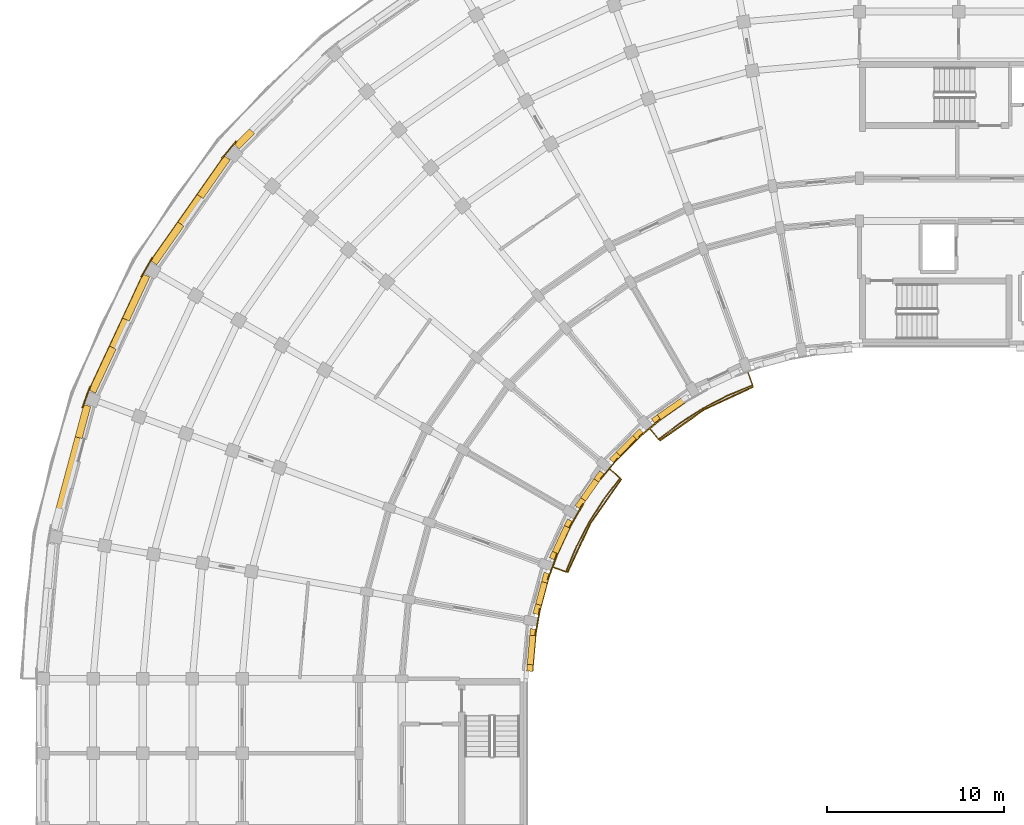
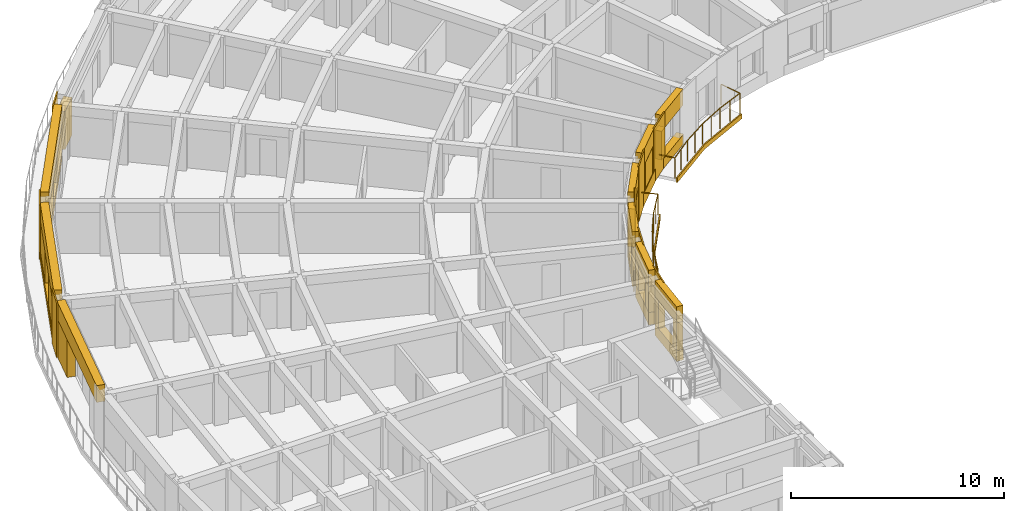
# One storey, part 47 of 57: 43 coverings, 2 railings, 1 shading device.
"""IFC4 building model written with IfcOpenShell, lengths in metres."""

from ifc_helpers import new_model, si_unit, direction, frame, origin, origin_2d, place, context, subcontext, project, spatial, polyline, rectangle, circle, outline, extrude, material, layer, layer_set, type_object, element, save


model = new_model("IFC4")

# Units and contexts
model_context = context("Model", 3, precision=1e-05, world=origin(), true_north=direction((0.0, 1.0)))
body_context = subcontext(model_context, "Body", "Model", "MODEL_VIEW")
ifc_project = project(units=[si_unit("LENGTHUNIT", "METRE"), si_unit("AREAUNIT", "SQUARE_METRE"), si_unit("VOLUMEUNIT", "CUBIC_METRE"), si_unit("PLANEANGLEUNIT", "RADIAN"), si_unit("MASSUNIT", "GRAM", prefix="KILO")], contexts=[model_context])

# Site, building, storey
site_placement = place(None, origin())
site = spatial("IfcSite", under=ifc_project, at=site_placement, CompositionType="ELEMENT")
building_placement = place(site_placement, origin())
building = spatial("IfcBuilding", under=site, at=building_placement, Name="Kiranvali Square Residences", CompositionType="ELEMENT")
storey_placement = place(building_placement, frame((0.0, 0.0, 24.449951171875)))
storey = spatial("IfcBuildingStorey", under=building, at=storey_placement, Name="L07", CompositionType="ELEMENT", Elevation=24.449951171875)

# Coverings
ifc_material_1 = material(Name="Carved Porbandar limestone classical entablature and cornice", Category="masonry")
ifc_layer_1 = layer(ifc_material_1, 0.06201171875)
ifc_layer_set_1 = layer_set([ifc_layer_1], Name="Carved Porbandar limestone classical entablature and cornice")
covering_type_1 = type_object("IfcCoveringType", Name="COV-CLAD-GBAL", PredefinedType="CLADDING", material=ifc_layer_set_1)
covering_1_placement = place(storey_placement, frame((0.0, 0.0, -0.219970703125)))
element("IfcCovering", 1, at=covering_1_placement, inside=storey, type_object=covering_type_1, Name="Block A L07 garden balcony limestone fascia 1", PredefinedType="CLADDING", context=body_context, shape_type="SweptSolid", body=[
    extrude(outline(polyline([(42.1982421875, 104.289794921875), (39.426025390625, 102.9970703125), (36.92041015625, 101.242431640625), (36.964111328125, 101.1904296875), (39.4599609375, 102.938232421875), (42.221435546875, 104.225830078125), (42.1982421875, 104.289794921875)])), origin(), (0.0, 0.0, 1.0), 0.27001953125),
])
covering_2_placement = place(storey_placement, frame((0.0, 0.0, -0.219970703125)))
element("IfcCovering", 2, at=covering_2_placement, inside=storey, type_object=covering_type_1, Name="Block A L07 garden balcony limestone fascia 2", PredefinedType="CLADDING", context=body_context, shape_type="SweptSolid", body=[
    extrude(outline(polyline([(34.757568359375, 99.07958984375), (33.0029296875, 96.573974609375), (31.710205078125, 93.8017578125), (31.774169921875, 93.778564453125), (33.061767578125, 96.5400390625), (34.8095703125, 99.035888671875), (34.757568359375, 99.07958984375)])), origin(), (0.0, 0.0, 1.0), 0.27001953125),
])
ifc_material_2 = material(Name="Honed Porbandar limestone ashlar facade cladding", Category="masonry")
ifc_layer_2 = layer(ifc_material_2, 0.3798828125)
ifc_layer_set_2 = layer_set([ifc_layer_2], Name="Honed Porbandar limestone ashlar facade cladding")
covering_type_2 = type_object("IfcCoveringType", Name="COV-CLAD-JAMB", PredefinedType="CLADDING", material=ifc_layer_set_2)
covering_3_placement = place(storey_placement, origin())
element("IfcCovering", 3, at=covering_3_placement, inside=storey, type_object=covering_type_2, Name="L07 deep limestone window jamb reveal A-L07-CRV-04.R", PredefinedType="CLADDING", context=body_context, shape_type="SweptSolid", body=[
    extrude(outline(polyline([(13.822265625, 118.808349609375), (12.954833984375, 117.94091796875), (13.244384765625, 117.6513671875), (14.11181640625, 118.518798828125), (13.822265625, 118.808349609375)])), origin(), (0.0, 0.0, 1.0), 2.179931640625),
])
covering_4_placement = place(storey_placement, frame((0.0, 0.0, 0.52197265625)))
element("IfcCovering", 4, at=covering_4_placement, inside=storey, type_object=covering_type_2, Name="L07 deep limestone window jamb reveal A-L07-CRV-05.L", PredefinedType="CLADDING", context=body_context, shape_type="SweptSolid", body=[
    extrude(outline(polyline([(12.396728515625, 117.275634765625), (10.871337890625, 115.097412109375), (11.206787109375, 114.862548828125), (12.732177734375, 117.040771484375), (12.396728515625, 117.275634765625)])), origin(), (0.0, 0.0, 1.0), 1.650146484375),
])
covering_5_placement = place(storey_placement, frame((0.0, 0.0, 0.52197265625)))
element("IfcCovering", 5, at=covering_5_placement, inside=storey, type_object=covering_type_2, Name="L07 deep limestone window jamb reveal A-L07-CRV-05.R", PredefinedType="CLADDING", context=body_context, shape_type="SweptSolid", body=[
    extrude(outline(polyline([(9.78173828125, 113.541015625), (8.25634765625, 111.36279296875), (8.591796875, 111.1279296875), (10.1171875, 113.30615234375), (9.78173828125, 113.541015625)])), origin(), (0.0, 0.0, 1.0), 1.650146484375),
])
covering_6_placement = place(storey_placement, frame((0.0, 0.0, 0.422119140625)))
element("IfcCovering", 6, at=covering_6_placement, inside=storey, type_object=covering_type_2, Name="L07 deep limestone window jamb reveal A-L07-CRV-06.L", PredefinedType="CLADDING", context=body_context, shape_type="SweptSolid", body=[
    extrude(outline(polyline([(7.822265625, 110.61083984375), (6.666748046875, 108.1328125), (7.037841796875, 107.959716796875), (8.193359375, 110.437744140625), (7.822265625, 110.61083984375)])), origin(), (0.0, 0.0, 1.0), 1.75),
])
covering_7_placement = place(storey_placement, frame((0.0, 0.0, 0.422119140625)))
element("IfcCovering", 7, at=covering_7_placement, inside=storey, type_object=covering_type_2, Name="L07 deep limestone window jamb reveal A-L07-CRV-06.R", PredefinedType="CLADDING", context=body_context, shape_type="SweptSolid", body=[
    extrude(outline(polyline([(5.927001953125, 106.546630859375), (4.771484375, 104.068603515625), (5.142822265625, 103.895751953125), (6.29833984375, 106.373779296875), (5.927001953125, 106.546630859375)])), origin(), (0.0, 0.0, 1.0), 1.75),
])
covering_8_placement = place(storey_placement, origin())
element("IfcCovering", 8, at=covering_8_placement, inside=storey, type_object=covering_type_2, Name="L07 deep limestone window jamb reveal A-L07-CRV-07.L", PredefinedType="CLADDING", context=body_context, shape_type="SweptSolid", body=[
    extrude(outline(polyline([(4.474609375, 103.252685546875), (3.989013671875, 101.440185546875), (4.384521484375, 101.334228515625), (4.8701171875, 103.146728515625), (4.474609375, 103.252685546875)])), origin(), (0.0, 0.0, 1.0), 2.179931640625),
])
covering_9_placement = place(storey_placement, frame((0.0, 0.0, 0.572021484375)))
element("IfcCovering", 9, at=covering_9_placement, inside=storey, type_object=covering_type_2, Name="L07 deep limestone window jamb reveal A-L07-GDN-03.R", PredefinedType="CLADDING", context=body_context, shape_type="SweptSolid", body=[
    extrude(outline(polyline([(36.802734375, 102.68212890625), (36.476318359375, 102.45361328125), (36.671142578125, 102.175537109375), (36.99755859375, 102.404052734375), (36.802734375, 102.68212890625)])), origin(), (0.0, 0.0, 1.0), 1.650146484375),
])
covering_10_placement = place(storey_placement, frame((0.0, 0.0, 0.72216796875)))
element("IfcCovering", 10, at=covering_10_placement, inside=storey, type_object=covering_type_2, Name="L07 deep limestone window jamb reveal A-L07-GDN-04.L", PredefinedType="CLADDING", context=body_context, shape_type="SweptSolid", body=[
    extrude(outline(polyline([(35.804931640625, 101.89013671875), (35.4169921875, 101.502197265625), (35.656982421875, 101.26220703125), (36.044921875, 101.650146484375), (35.804931640625, 101.89013671875)])), origin(), (0.0, 0.0, 1.0), 1.5),
])
covering_11_placement = place(storey_placement, frame((0.0, 0.0, 0.72216796875)))
element("IfcCovering", 11, at=covering_11_placement, inside=storey, type_object=covering_type_2, Name="L07 deep limestone window jamb reveal A-L07-GDN-04.R", PredefinedType="CLADDING", context=body_context, shape_type="SweptSolid", body=[
    extrude(outline(polyline([(34.497802734375, 100.5830078125), (34.10986328125, 100.195068359375), (34.349853515625, 99.955078125), (34.73779296875, 100.343017578125), (34.497802734375, 100.5830078125)])), origin(), (0.0, 0.0, 1.0), 1.5),
])
covering_12_placement = place(storey_placement, origin())
element("IfcCovering", 12, at=covering_12_placement, inside=storey, type_object=covering_type_2, Name="L07 deep limestone window jamb reveal A-L07-GDN-05.L", PredefinedType="CLADDING", context=body_context, shape_type="SweptSolid", body=[
    extrude(outline(polyline([(33.54638671875, 99.523681640625), (33.231689453125, 99.074462890625), (33.509765625, 98.879638671875), (33.824462890625, 99.328857421875), (33.54638671875, 99.523681640625)])), origin(), (0.0, 0.0, 1.0), 2.179931640625),
])
covering_13_placement = place(storey_placement, origin())
element("IfcCovering", 13, at=covering_13_placement, inside=storey, type_object=covering_type_2, Name="L07 deep limestone window jamb reveal A-L07-GDN-05.R", PredefinedType="CLADDING", context=body_context, shape_type="SweptSolid", body=[
    extrude(outline(polyline([(32.486083984375, 98.009521484375), (32.171630859375, 97.56005859375), (32.44970703125, 97.365478515625), (32.76416015625, 97.814697265625), (32.486083984375, 98.009521484375)])), origin(), (0.0, 0.0, 1.0), 2.179931640625),
])
covering_14_placement = place(storey_placement, frame((0.0, 0.0, 0.572021484375)))
element("IfcCovering", 14, at=covering_14_placement, inside=storey, type_object=covering_type_2, Name="L07 deep limestone window jamb reveal A-L07-GDN-06.L", PredefinedType="CLADDING", context=body_context, shape_type="SweptSolid", body=[
    extrude(outline(polyline([(31.733154296875, 96.801025390625), (31.564697265625, 96.43994140625), (31.87255859375, 96.29638671875), (32.041015625, 96.657470703125), (31.733154296875, 96.801025390625)])), origin(), (0.0, 0.0, 1.0), 1.650146484375),
])
covering_15_placement = place(storey_placement, frame((0.0, 0.0, 0.572021484375)))
element("IfcCovering", 15, at=covering_15_placement, inside=storey, type_object=covering_type_2, Name="L07 deep limestone window jamb reveal A-L07-GDN-06.R", PredefinedType="CLADDING", context=body_context, shape_type="SweptSolid", body=[
    extrude(outline(polyline([(30.888671875, 94.98974609375), (30.72021484375, 94.62841796875), (31.02783203125, 94.485107421875), (31.1962890625, 94.84619140625), (30.888671875, 94.98974609375)])), origin(), (0.0, 0.0, 1.0), 1.650146484375),
])
covering_16_placement = place(storey_placement, frame((0.0, 0.0, 0.72216796875)))
element("IfcCovering", 16, at=covering_16_placement, inside=storey, type_object=covering_type_2, Name="L07 deep limestone window jamb reveal A-L07-GDN-07.L", PredefinedType="CLADDING", context=body_context, shape_type="SweptSolid", body=[
    extrude(outline(polyline([(30.42041015625, 93.804931640625), (30.2783203125, 93.27490234375), (30.6064453125, 93.187255859375), (30.748291015625, 93.717041015625), (30.42041015625, 93.804931640625)])), origin(), (0.0, 0.0, 1.0), 1.5),
])
covering_17_placement = place(storey_placement, frame((0.0, 0.0, 0.72216796875)))
element("IfcCovering", 17, at=covering_17_placement, inside=storey, type_object=covering_type_2, Name="L07 deep limestone window jamb reveal A-L07-GDN-07.R", PredefinedType="CLADDING", context=body_context, shape_type="SweptSolid", body=[
    extrude(outline(polyline([(29.94189453125, 92.019287109375), (29.800048828125, 91.489501953125), (30.1279296875, 91.401611328125), (30.269775390625, 91.931396484375), (29.94189453125, 92.019287109375)])), origin(), (0.0, 0.0, 1.0), 1.5),
])
covering_18_placement = place(storey_placement, frame((0.0, 0.0, 0.6220703125)))
element("IfcCovering", 18, at=covering_18_placement, inside=storey, type_object=covering_type_2, Name="L07 deep limestone window jamb reveal A-L07-GDN-08.L", PredefinedType="CLADDING", context=body_context, shape_type="SweptSolid", body=[
    extrude(outline(polyline([(29.647705078125, 90.626220703125), (29.615234375, 90.254150390625), (29.953369140625, 90.224609375), (29.986083984375, 90.5966796875), (29.647705078125, 90.626220703125)])), origin(), (0.0, 0.0, 1.0), 1.60009765625),
])
covering_19_placement = place(storey_placement, frame((0.0, 0.0, 0.6220703125)))
element("IfcCovering", 19, at=covering_19_placement, inside=storey, type_object=covering_type_2, Name="L07 deep limestone window jamb reveal A-L07-GDN-08.R", PredefinedType="CLADDING", context=body_context, shape_type="SweptSolid", body=[
    extrude(outline(polyline([(29.471435546875, 88.6103515625), (29.43896484375, 88.23828125), (29.777099609375, 88.208740234375), (29.8095703125, 88.580810546875), (29.471435546875, 88.6103515625)])), origin(), (0.0, 0.0, 1.0), 1.60009765625),
])
ifc_layer_3 = layer(ifc_material_2, 0.06494140625)
ifc_layer_set_3 = layer_set([ifc_layer_3], Name="Honed Porbandar limestone ashlar facade cladding")
covering_type_3 = type_object("IfcCoveringType", Name="COV-CLAD-PIER", PredefinedType="CLADDING", material=ifc_layer_set_3)
covering_20_placement = place(storey_placement, frame((0.0, 0.0, 0.005126953125)))
element("IfcCovering", 20, at=covering_20_placement, inside=storey, type_object=covering_type_3, Name="L07 Classical limestone corner pilaster CLAD-PR-A-L07-A05", PredefinedType="CLADDING", context=body_context, shape_type="SweptSolid", body=[
    extrude(outline(polyline([(13.046630859375, 118.11962890625), (12.23681640625, 117.154296875), (12.28857421875, 117.11083984375), (13.098388671875, 118.076171875), (13.046630859375, 118.11962890625)])), origin(), (0.0, 0.0, 1.0), 3.139892578125),
])
covering_21_placement = place(storey_placement, frame((0.0, 0.0, 0.005126953125)))
element("IfcCovering", 21, at=covering_21_placement, inside=storey, type_object=covering_type_3, Name="L07 Classical limestone corner pilaster CLAD-PR-A-L07-A06", PredefinedType="CLADDING", context=body_context, shape_type="SweptSolid", body=[
    extrude(outline(polyline([(8.31591796875, 111.5546875), (7.685791015625, 110.46337890625), (7.744384765625, 110.4296875), (8.374267578125, 111.520751953125), (8.31591796875, 111.5546875)])), origin(), (0.0, 0.0, 1.0), 3.139892578125),
])
covering_22_placement = place(storey_placement, frame((0.0, 0.0, 0.005126953125)))
element("IfcCovering", 22, at=covering_22_placement, inside=storey, type_object=covering_type_3, Name="L07 Classical limestone corner pilaster CLAD-PR-A-L07-A07", PredefinedType="CLADDING", context=body_context, shape_type="SweptSolid", body=[
    extrude(outline(polyline([(4.796875, 104.267822265625), (4.365966796875, 103.083984375), (4.42919921875, 103.060791015625), (4.8603515625, 104.244873046875), (4.796875, 104.267822265625)])), origin(), (0.0, 0.0, 1.0), 3.139892578125),
])
ifc_layer_4 = layer(ifc_material_2, 0.050048828125)
ifc_layer_set_4 = layer_set([ifc_layer_4], Name="Honed Porbandar limestone ashlar facade cladding")
covering_type_4 = type_object("IfcCoveringType", Name="COV-CLAD-PIER-IN", PredefinedType="CLADDING", material=ifc_layer_set_4)
covering_23_placement = place(storey_placement, frame((0.0, 0.0, 0.005126953125)))
element("IfcCovering", 23, at=covering_23_placement, inside=storey, type_object=covering_type_4, Name="L07 Classical garden courtyard pilaster CLAD-PRIN-A-L07-A04", PredefinedType="CLADDING", context=body_context, shape_type="SweptSolid", body=[
    extrude(outline(polyline([(35.809814453125, 101.3994140625), (36.958740234375, 102.363525390625), (36.91552734375, 102.415283203125), (35.766357421875, 101.451171875), (35.809814453125, 101.3994140625)])), origin(), (0.0, 0.0, 1.0), 3.139892578125),
])
covering_24_placement = place(storey_placement, frame((0.0, 0.0, 0.005126953125)))
element("IfcCovering", 24, at=covering_24_placement, inside=storey, type_object=covering_type_4, Name="L07 Classical garden courtyard pilaster CLAD-PRIN-A-L07-A05", PredefinedType="CLADDING", context=body_context, shape_type="SweptSolid", body=[
    extrude(outline(polyline([(33.636474609375, 99.041259765625), (34.6005859375, 100.190185546875), (34.548828125, 100.233642578125), (33.584716796875, 99.08447265625), (33.636474609375, 99.041259765625)])), origin(), (0.0, 0.0, 1.0), 3.139892578125),
])
covering_25_placement = place(storey_placement, frame((0.0, 0.0, 0.005126953125)))
element("IfcCovering", 25, at=covering_25_placement, inside=storey, type_object=covering_type_4, Name="L07 Classical garden courtyard pilaster CLAD-PRIN-A-L07-A06", PredefinedType="CLADDING", context=body_context, shape_type="SweptSolid", body=[
    extrude(outline(polyline([(31.90576171875, 96.341552734375), (32.65576171875, 97.640625), (32.59716796875, 97.67431640625), (31.84716796875, 96.375244140625), (31.90576171875, 96.341552734375)])), origin(), (0.0, 0.0, 1.0), 3.139892578125),
])
covering_26_placement = place(storey_placement, frame((0.0, 0.0, 0.005126953125)))
element("IfcCovering", 26, at=covering_26_placement, inside=storey, type_object=covering_type_4, Name="L07 Classical garden courtyard pilaster CLAD-PRIN-A-L07-A07", PredefinedType="CLADDING", context=body_context, shape_type="SweptSolid", body=[
    extrude(outline(polyline([(30.670166015625, 93.38232421875), (31.18310546875, 94.791748046875), (31.11962890625, 94.81494140625), (30.606689453125, 93.4052734375), (30.670166015625, 93.38232421875)])), origin(), (0.0, 0.0, 1.0), 3.139892578125),
])
covering_27_placement = place(storey_placement, frame((0.0, 0.0, 0.005126953125)))
element("IfcCovering", 27, at=covering_27_placement, inside=storey, type_object=covering_type_4, Name="L07 Classical garden courtyard pilaster CLAD-PRIN-A-L07-A08", PredefinedType="CLADDING", context=body_context, shape_type="SweptSolid", body=[
    extrude(outline(polyline([(29.967041015625, 90.25341796875), (30.2275390625, 91.730712890625), (30.1611328125, 91.742431640625), (29.900634765625, 90.26513671875), (29.967041015625, 90.25341796875)])), origin(), (0.0, 0.0, 1.0), 3.139892578125),
])
ifc_layer_5 = layer(ifc_material_2, 0.360107421875)
ifc_layer_set_5 = layer_set([ifc_layer_5], Name="Honed Porbandar limestone ashlar facade cladding")
covering_type_5 = type_object("IfcCoveringType", Name="COV-CLAD-WALL", PredefinedType="CLADDING", material=ifc_layer_set_5)
covering_28_placement = place(storey_placement, frame((0.0, 0.0, 2.172119140625)))
element("IfcCovering", 28, at=covering_28_placement, inside=storey, type_object=covering_type_5, Name="L07 light limestone spandrel lintel A-L07-CRV-05", PredefinedType="CLADDING", context=body_context, shape_type="SweptSolid", body=[
    extrude(outline(polyline([(12.396728515625, 117.275634765625), (8.25634765625, 111.36279296875), (8.591796875, 111.1279296875), (12.732177734375, 117.040771484375), (12.396728515625, 117.275634765625)])), origin(), (0.0, 0.0, 1.0), 0.972900390625),
])
covering_29_placement = place(storey_placement, frame((0.0, 0.0, 0.005126953125)))
element("IfcCovering", 29, at=covering_29_placement, inside=storey, type_object=covering_type_5, Name="L07 limestone window sill apron A-L07-CRV-05", PredefinedType="CLADDING", context=body_context, shape_type="SweptSolid", body=[
    extrude(outline(polyline([(12.3720703125, 117.29296875), (8.23193359375, 111.380126953125), (8.591796875, 111.1279296875), (12.732177734375, 117.040771484375), (12.3720703125, 117.29296875)])), origin(), (0.0, 0.0, 1.0), 0.516845703125),
])
covering_30_placement = place(storey_placement, frame((0.0, 0.0, 2.172119140625)))
element("IfcCovering", 30, at=covering_30_placement, inside=storey, type_object=covering_type_5, Name="L07 light limestone spandrel lintel A-L07-CRV-06", PredefinedType="CLADDING", context=body_context, shape_type="SweptSolid", body=[
    extrude(outline(polyline([(7.822265625, 110.61083984375), (4.771484375, 104.068603515625), (5.142822265625, 103.895751953125), (8.193359375, 110.437744140625), (7.822265625, 110.61083984375)])), origin(), (0.0, 0.0, 1.0), 0.972900390625),
])
covering_31_placement = place(storey_placement, frame((0.0, 0.0, 0.005126953125)))
element("IfcCovering", 31, at=covering_31_placement, inside=storey, type_object=covering_type_5, Name="L07 limestone window sill apron A-L07-CRV-06", PredefinedType="CLADDING", context=body_context, shape_type="SweptSolid", body=[
    extrude(outline(polyline([(7.794921875, 110.62353515625), (4.744384765625, 104.081298828125), (5.142822265625, 103.895751953125), (8.193359375, 110.437744140625), (7.794921875, 110.62353515625)])), origin(), (0.0, 0.0, 1.0), 0.4169921875),
])
covering_32_placement = place(storey_placement, frame((0.0, 0.0, 2.179931640625)))
element("IfcCovering", 32, at=covering_32_placement, inside=storey, type_object=covering_type_5, Name="L07 light limestone spandrel lintel A-L07-CRV-07", PredefinedType="CLADDING", context=body_context, shape_type="SweptSolid", body=[
    extrude(outline(polyline([(4.474609375, 103.252685546875), (2.6064453125, 96.2802734375), (3.001953125, 96.17431640625), (4.8701171875, 103.146728515625), (4.474609375, 103.252685546875)])), origin(), (0.0, 0.0, 1.0), 0.965087890625),
])
covering_33_placement = place(storey_placement, frame((0.0, 0.0, 2.22216796875)))
element("IfcCovering", 33, at=covering_33_placement, inside=storey, type_object=covering_type_5, Name="L07 light limestone spandrel lintel A-L07-GDN-03", PredefinedType="CLADDING", context=body_context, shape_type="SweptSolid", body=[
    extrude(outline(polyline([(38.43994140625, 103.828369140625), (36.476318359375, 102.45361328125), (36.671142578125, 102.175537109375), (38.634521484375, 103.55029296875), (38.43994140625, 103.828369140625)])), origin(), (0.0, 0.0, 1.0), 0.9228515625),
])
covering_34_placement = place(storey_placement, frame((0.0, 0.0, 2.22216796875)))
element("IfcCovering", 34, at=covering_34_placement, inside=storey, type_object=covering_type_5, Name="L07 light limestone spandrel lintel A-L07-GDN-04", PredefinedType="CLADDING", context=body_context, shape_type="SweptSolid", body=[
    extrude(outline(polyline([(35.804931640625, 101.89013671875), (34.10986328125, 100.195068359375), (34.349853515625, 99.955078125), (36.044921875, 101.650146484375), (35.804931640625, 101.89013671875)])), origin(), (0.0, 0.0, 1.0), 0.9228515625),
])
covering_35_placement = place(storey_placement, frame((0.0, 0.0, 2.179931640625)))
element("IfcCovering", 35, at=covering_35_placement, inside=storey, type_object=covering_type_5, Name="L07 light limestone spandrel lintel A-L07-GDN-05", PredefinedType="CLADDING", context=body_context, shape_type="SweptSolid", body=[
    extrude(outline(polyline([(33.54638671875, 99.523681640625), (32.171630859375, 97.56005859375), (32.44970703125, 97.365478515625), (33.824462890625, 99.328857421875), (33.54638671875, 99.523681640625)])), origin(), (0.0, 0.0, 1.0), 0.965087890625),
])
covering_36_placement = place(storey_placement, frame((0.0, 0.0, 2.22216796875)))
element("IfcCovering", 36, at=covering_36_placement, inside=storey, type_object=covering_type_5, Name="L07 light limestone spandrel lintel A-L07-GDN-06", PredefinedType="CLADDING", context=body_context, shape_type="SweptSolid", body=[
    extrude(outline(polyline([(31.733154296875, 96.801025390625), (30.72021484375, 94.62841796875), (31.02783203125, 94.485107421875), (32.041015625, 96.657470703125), (31.733154296875, 96.801025390625)])), origin(), (0.0, 0.0, 1.0), 0.9228515625),
])
covering_37_placement = place(storey_placement, frame((0.0, 0.0, 2.22216796875)))
element("IfcCovering", 37, at=covering_37_placement, inside=storey, type_object=covering_type_5, Name="L07 light limestone spandrel lintel A-L07-GDN-07", PredefinedType="CLADDING", context=body_context, shape_type="SweptSolid", body=[
    extrude(outline(polyline([(30.42041015625, 93.804931640625), (29.800048828125, 91.489501953125), (30.1279296875, 91.401611328125), (30.748291015625, 93.717041015625), (30.42041015625, 93.804931640625)])), origin(), (0.0, 0.0, 1.0), 0.9228515625),
])
covering_38_placement = place(storey_placement, frame((0.0, 0.0, 2.22216796875)))
element("IfcCovering", 38, at=covering_38_placement, inside=storey, type_object=covering_type_5, Name="L07 light limestone spandrel lintel A-L07-GDN-08", PredefinedType="CLADDING", context=body_context, shape_type="SweptSolid", body=[
    extrude(outline(polyline([(29.647705078125, 90.626220703125), (29.43896484375, 88.23828125), (29.777099609375, 88.208740234375), (29.986083984375, 90.5966796875), (29.647705078125, 90.626220703125)])), origin(), (0.0, 0.0, 1.0), 0.9228515625),
])
ifc_layer_6 = layer(ifc_material_2, 0.2900390625)
ifc_layer_set_6 = layer_set([ifc_layer_6], Name="Honed Porbandar limestone ashlar facade cladding")
covering_type_6 = type_object("IfcCoveringType", Name="COV-CLAD-WALL-IN", PredefinedType="CLADDING", material=ifc_layer_set_6)
covering_39_placement = place(storey_placement, frame((0.0, 0.0, 0.005126953125)))
element("IfcCovering", 39, at=covering_39_placement, inside=storey, type_object=covering_type_6, Name="L07 limestone window sill apron A-L07-GDN-03", PredefinedType="CLADDING", context=body_context, shape_type="SweptSolid", body=[
    extrude(outline(polyline([(38.43994140625, 103.828369140625), (36.476318359375, 102.45361328125), (36.688232421875, 102.15087890625), (38.65185546875, 103.52587890625), (38.43994140625, 103.828369140625)])), origin(), (0.0, 0.0, 1.0), 0.56689453125),
])
covering_40_placement = place(storey_placement, frame((0.0, 0.0, 0.005126953125)))
element("IfcCovering", 40, at=covering_40_placement, inside=storey, type_object=covering_type_6, Name="L07 limestone window sill apron A-L07-GDN-04", PredefinedType="CLADDING", context=body_context, shape_type="SweptSolid", body=[
    extrude(outline(polyline([(35.804931640625, 101.89013671875), (34.10986328125, 100.195068359375), (34.37109375, 99.933837890625), (36.066162109375, 101.62890625), (35.804931640625, 101.89013671875)])), origin(), (0.0, 0.0, 1.0), 0.717041015625),
])
covering_41_placement = place(storey_placement, frame((0.0, 0.0, 0.005126953125)))
element("IfcCovering", 41, at=covering_41_placement, inside=storey, type_object=covering_type_6, Name="L07 limestone window sill apron A-L07-GDN-06", PredefinedType="CLADDING", context=body_context, shape_type="SweptSolid", body=[
    extrude(outline(polyline([(31.733154296875, 96.801025390625), (30.72021484375, 94.62841796875), (31.05517578125, 94.472412109375), (32.068115234375, 96.644775390625), (31.733154296875, 96.801025390625)])), origin(), (0.0, 0.0, 1.0), 0.56689453125),
])
covering_42_placement = place(storey_placement, frame((0.0, 0.0, 0.005126953125)))
element("IfcCovering", 42, at=covering_42_placement, inside=storey, type_object=covering_type_6, Name="L07 limestone window sill apron A-L07-GDN-07", PredefinedType="CLADDING", context=body_context, shape_type="SweptSolid", body=[
    extrude(outline(polyline([(30.42041015625, 93.804931640625), (29.800048828125, 91.489501953125), (30.156982421875, 91.393798828125), (30.77734375, 93.709228515625), (30.42041015625, 93.804931640625)])), origin(), (0.0, 0.0, 1.0), 0.717041015625),
])
covering_43_placement = place(storey_placement, frame((0.0, 0.0, 0.005126953125)))
element("IfcCovering", 43, at=covering_43_placement, inside=storey, type_object=covering_type_6, Name="L07 limestone window sill apron A-L07-GDN-08", PredefinedType="CLADDING", context=body_context, shape_type="SweptSolid", body=[
    extrude(outline(polyline([(29.647705078125, 90.626220703125), (29.43896484375, 88.23828125), (29.806884765625, 88.2060546875), (30.015869140625, 90.593994140625), (29.647705078125, 90.626220703125)])), origin(), (0.0, 0.0, 1.0), 0.616943359375),
])

# Railings
ifc_material_3 = material(Name="Powder-coated architectural bronze balustrade", Category="steel")
railing_type = type_object("IfcRailingType", Name="RL-BAL-GOLD-1200", PredefinedType="BALUSTRADE", material=ifc_material_3)
railing_1_placement = place(storey_placement, frame((41.78369140625, 105.4287109375, 0.0)))
element("IfcRailing", 44, at=railing_1_placement, inside=storey, type_object=railing_type, Name="Block A L07 garden balcony gold balustrade 1", PredefinedType="BALUSTRADE", context=body_context, shape_type="SweptSolid", body=[
    extrude(circle(Radius=0.02392578125, at=origin_2d()), frame((0.0, 0.0, 1.17578125), z_axis=(0.341964618562, -0.939712828289, 0.0), x_axis=(0.939712828289, 0.341964618562, 0.0)), (0.0, 0.0, 1.0), 1.150146484375),
    extrude(circle(Radius=0.02392578125, at=origin_2d()), frame((0.393310546875, -1.080810546875, 1.17578125), z_axis=(-0.923892883829, -0.382651197843, 0.0), x_axis=(0.382651197843, -0.923892883829, 0.0)), (0.0, 0.0, 1.0), 1.536376953125),
    extrude(circle(Radius=0.02392578125, at=origin_2d()), frame((-1.026123046875, -1.668701171875, 1.17578125), z_axis=(-0.887029366154, -0.461713009976, 0.0), x_axis=(0.461713009976, -0.887029366154, 0.0)), (0.0, 0.0, 1.0), 1.5361328125),
    extrude(circle(Radius=0.02392578125, at=origin_2d()), frame((-2.388671875, -2.3779296875, 1.17578125), z_axis=(-0.843386539688, -0.537307309343, 0.0), x_axis=(0.537307309343, -0.843386539688, 0.0)), (0.0, 0.0, 1.0), 1.5361328125),
    extrude(circle(Radius=0.02392578125, at=origin_2d()), frame((-3.684326171875, -3.203369140625, 1.17578125), z_axis=(-0.793314680996, -0.608811807471, 0.0), x_axis=(0.608811807471, -0.793314680996, 0.0)), (0.0, 0.0, 1.0), 1.536376953125),
    extrude(circle(Radius=0.02392578125, at=origin_2d()), frame((-4.903076171875, -4.138671875, 1.17578125), z_axis=(-0.642853454051, 0.765989188314, 0.0), x_axis=(-0.765989188314, -0.642853454051, 0.0)), (0.0, 0.0, 1.0), 1.14990234375),
    extrude(circle(Radius=0.02099609375, at=origin_2d()), origin(), (0.0, 0.0, 1.0), 1.15185546875),
    extrude(circle(Radius=0.02099609375, at=origin_2d()), frame((0.393310546875, -1.080810546875, 0.0)), (0.0, 0.0, 1.0), 1.15185546875),
    extrude(circle(Radius=0.02099609375, at=origin_2d()), frame((-0.31640625, -1.374755859375, 0.0)), (0.0, 0.0, 1.0), 1.15185546875),
    extrude(circle(Radius=0.02099609375, at=origin_2d()), frame((-1.026123046875, -1.668701171875, 0.0)), (0.0, 0.0, 1.0), 1.15185546875),
    extrude(circle(Radius=0.02099609375, at=origin_2d()), frame((-1.70751953125, -2.0234375, 0.0)), (0.0, 0.0, 1.0), 1.15185546875),
    extrude(circle(Radius=0.02099609375, at=origin_2d()), frame((-2.388671875, -2.3779296875, 0.0)), (0.0, 0.0, 1.0), 1.15185546875),
    extrude(circle(Radius=0.02099609375, at=origin_2d()), frame((-3.03662109375, -2.79052734375, 0.0)), (0.0, 0.0, 1.0), 1.15185546875),
    extrude(circle(Radius=0.02099609375, at=origin_2d()), frame((-3.684326171875, -3.203369140625, 0.0)), (0.0, 0.0, 1.0), 1.15185546875),
    extrude(circle(Radius=0.02099609375, at=origin_2d()), frame((-4.293701171875, -3.6708984375, 0.0)), (0.0, 0.0, 1.0), 1.15185546875),
    extrude(circle(Radius=0.02099609375, at=origin_2d()), frame((-4.903076171875, -4.138671875, 0.0)), (0.0, 0.0, 1.0), 1.15185546875),
    extrude(circle(Radius=0.02099609375, at=origin_2d()), frame((-5.642333984375, -3.2578125, 0.0)), (0.0, 0.0, 1.0), 1.15185546875),
])
railing_2_placement = place(storey_placement, frame((33.8291015625, 99.858642578125, 0.0)))
element("IfcRailing", 45, at=railing_2_placement, inside=storey, type_object=railing_type, Name="Block A L07 garden balcony gold balustrade 2", PredefinedType="BALUSTRADE", context=body_context, shape_type="SweptSolid", body=[
    extrude(circle(Radius=0.02392578125, at=origin_2d()), frame((0.0, 0.0, 1.17578125), z_axis=(0.765989188314, -0.642853454051, 0.0), x_axis=(0.642853454051, 0.765989188314, 0.0)), (0.0, 0.0, 1.0), 1.14990234375),
    extrude(circle(Radius=0.02392578125, at=origin_2d()), frame((0.880859375, -0.7392578125, 1.17578125), z_axis=(-0.608811807471, -0.793314680996, 0.0), x_axis=(0.793314680996, -0.608811807471, 0.0)), (0.0, 0.0, 1.0), 1.536376953125),
    extrude(circle(Radius=0.02392578125, at=origin_2d()), frame((-0.054443359375, -1.9580078125, 1.17578125), z_axis=(-0.537307309343, -0.843386539688, 0.0), x_axis=(0.843386539688, -0.537307309343, 0.0)), (0.0, 0.0, 1.0), 1.5361328125),
    extrude(circle(Radius=0.02392578125, at=origin_2d()), frame((-0.8798828125, -3.253662109375, 1.17578125), z_axis=(-0.461713009976, -0.887029366154, 0.0), x_axis=(0.887029366154, -0.461713009976, 0.0)), (0.0, 0.0, 1.0), 1.5361328125),
    extrude(circle(Radius=0.02392578125, at=origin_2d()), frame((-1.589111328125, -4.6162109375, 1.17578125), z_axis=(-0.382651197843, -0.923892883829, 0.0), x_axis=(0.923892883829, -0.382651197843, 0.0)), (0.0, 0.0, 1.0), 1.536376953125),
    extrude(circle(Radius=0.02392578125, at=origin_2d()), frame((-2.177001953125, -6.03564453125, 1.17578125), z_axis=(-0.939712828289, 0.341964618562, 0.0), x_axis=(-0.341964618562, -0.939712828289, 0.0)), (0.0, 0.0, 1.0), 1.150146484375),
    extrude(circle(Radius=0.02099609375, at=origin_2d()), origin(), (0.0, 0.0, 1.0), 1.15185546875),
    extrude(circle(Radius=0.02099609375, at=origin_2d()), frame((0.880859375, -0.7392578125, 0.0)), (0.0, 0.0, 1.0), 1.15185546875),
    extrude(circle(Radius=0.02099609375, at=origin_2d()), frame((0.4130859375, -1.3486328125, 0.0)), (0.0, 0.0, 1.0), 1.15185546875),
    extrude(circle(Radius=0.02099609375, at=origin_2d()), frame((-0.054443359375, -1.9580078125, 0.0)), (0.0, 0.0, 1.0), 1.15185546875),
    extrude(circle(Radius=0.02099609375, at=origin_2d()), frame((-0.46728515625, -2.60595703125, 0.0)), (0.0, 0.0, 1.0), 1.15185546875),
    extrude(circle(Radius=0.02099609375, at=origin_2d()), frame((-0.8798828125, -3.253662109375, 0.0)), (0.0, 0.0, 1.0), 1.15185546875),
    extrude(circle(Radius=0.02099609375, at=origin_2d()), frame((-1.234375, -3.93505859375, 0.0)), (0.0, 0.0, 1.0), 1.15185546875),
    extrude(circle(Radius=0.02099609375, at=origin_2d()), frame((-1.589111328125, -4.6162109375, 0.0)), (0.0, 0.0, 1.0), 1.15185546875),
    extrude(circle(Radius=0.02099609375, at=origin_2d()), frame((-1.883056640625, -5.325927734375, 0.0)), (0.0, 0.0, 1.0), 1.15185546875),
    extrude(circle(Radius=0.02099609375, at=origin_2d()), frame((-2.177001953125, -6.03564453125, 0.0)), (0.0, 0.0, 1.0), 1.15185546875),
    extrude(circle(Radius=0.02099609375, at=origin_2d()), frame((-3.2578125, -5.642333984375, 0.0)), (0.0, 0.0, 1.0), 1.15185546875),
])

# Shading device
ifc_material_4 = material(Name="Pierced buff sandstone architectural mashrabiya solar screen", Category="masonry")
shading_device_type = type_object("IfcShadingDeviceType", Name="SHD-JALI-1600", PredefinedType="JALOUSIE", material=ifc_material_4)
shading_device_placement = place(storey_placement, frame((35.183349609375, 100.816650390625, 0.72216796875), z_axis=(0.0, 0.0, 1.0), x_axis=(-0.707106781187, -0.707106781187, 0.0)))
element("IfcShadingDevice", 46, at=shading_device_placement, inside=storey, type_object=shading_device_type, Name="L07 carved stone Mashrabiya screen A-L07-GDN-04", PredefinedType="JALOUSIE", context=body_context, shape_type="SweptSolid", body=[
    extrude(rectangle(XDim=1.199951171875, YDim=0.044921875, at=origin_2d()), origin(), (0.0, 0.0, 1.0), 1.5),
])

save(model, "model.ifc")
